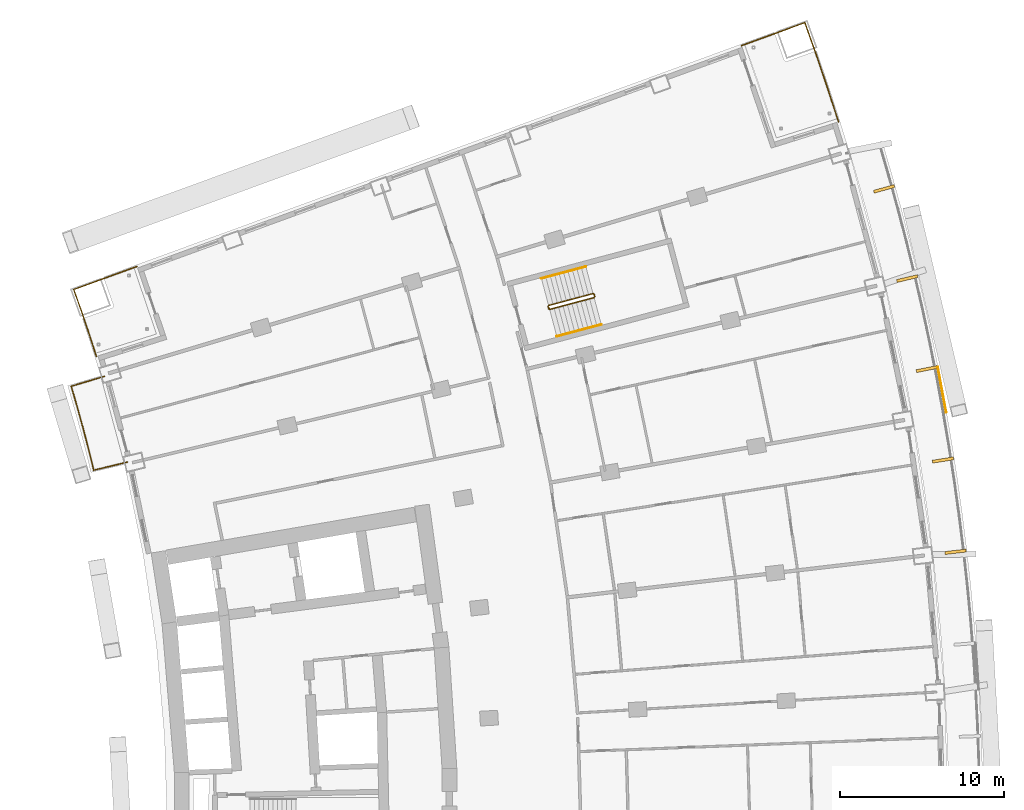
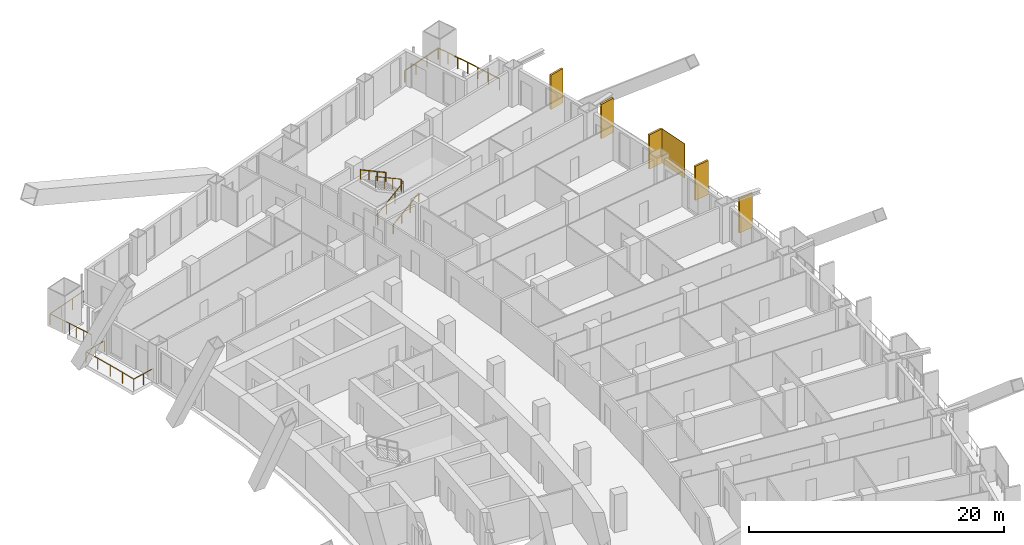
# One storey, part 25 of 25: 6 railings, 6 shading devices.
"""IFC4 building model written with IfcOpenShell, lengths in metres."""

import ifcopenshell
import ifcopenshell.guid

model = None  # the IFC model being written
_history = None  # IfcOwnerHistory: only IFC2X3 demands one
_inside = {}  # id of a spatial element -> (the spatial element, [elements in it])
_under = {}  # id of a project, library or spatial element -> (it, [spatial elements below it])
_declared = {}  # id of a project -> (the project, [libraries it declares])
_typed = {}  # id of a type object -> (the type object, [elements of that type])
_made_of = {}  # id of a material, layer set ... -> (it, [elements and type objects made of it])


def new_model(schema):
    """Start an empty IFC model of exactly this schema.

    Asked for "IFC4X3", IfcOpenShell would pick the latest addendum, in which some entities
    have other attributes; the version numbers below select the first issue.
    IFC2X3 requires an IfcOwnerHistory on every rooted entity: one is made here for all.
    """
    global model, _history
    if schema == "IFC4X3":
        model = ifcopenshell.file(schema_version=(4, 3, 0, 0))
    else:
        model = ifcopenshell.file(schema=schema)
    _inside.clear()
    _under.clear()
    _declared.clear()
    _typed.clear()
    _made_of.clear()
    _history = None
    if model.schema == "IFC2X3":
        org = make("IfcOrganization", Name="unknown")
        user = make(
            "IfcPersonAndOrganization",
            ThePerson=make("IfcPerson", FamilyName="unknown"),
            TheOrganization=org,
        )
        app = make(
            "IfcApplication",
            ApplicationDeveloper=org,
            Version="unknown",
            ApplicationFullName="unknown",
            ApplicationIdentifier="unknown",
        )
        _history = make(
            "IfcOwnerHistory",
            OwningUser=user,
            OwningApplication=app,
            ChangeAction="ADDED",
            CreationDate=0,
        )
    return model


def make(cls, **values):
    """One entity of the class cls with the attributes given. An attribute that is None is left unset."""
    return model.create_entity(
        cls, **{name: value for name, value in values.items() if value is not None}
    )


def rooted(cls, **values):
    """An entity with a GlobalId (a new one), such as an element, a storey or a relation."""
    return make(cls, GlobalId=ifcopenshell.guid.new(), OwnerHistory=_history, **values)


def si_unit(unit_type, name, prefix=None):
    """IfcSIUnit, for example si_unit("LENGTHUNIT", "METRE", prefix="MILLI")."""
    return make("IfcSIUnit", UnitType=unit_type, Prefix=prefix, Name=name)


def assignment(units):
    """IfcUnitAssignment: the units of a project."""
    return None if units is None else make("IfcUnitAssignment", Units=units)


def point(xyz):
    """IfcCartesianPoint."""
    return None if xyz is None else make("IfcCartesianPoint", Coordinates=xyz)


def direction(xyz):
    """IfcDirection."""
    return None if xyz is None else make("IfcDirection", DirectionRatios=xyz)


def frame(location, z_axis=None, x_axis=None):
    """IfcAxis2Placement3D, a coordinate frame: its origin and axes. An axis left out is left unset."""
    return make(
        "IfcAxis2Placement3D",
        Location=point(location),
        Axis=direction(z_axis),
        RefDirection=direction(x_axis),
    )


def frame_2d(location, x_axis=None):
    """IfcAxis2Placement2D, a coordinate frame in the plane: its origin and x axis."""
    return make(
        "IfcAxis2Placement2D", Location=point(location), RefDirection=direction(x_axis)
    )


def origin():
    """The frame at (0, 0, 0) with its axes left unset."""
    return frame((0.0, 0.0, 0.0))


def origin_2d():
    """The frame at (0, 0) in the plane with its x axis left unset."""
    return frame_2d((0.0, 0.0))


def place(relative_to, where):
    """IfcLocalPlacement: puts the frame where relative to a parent placement (None: the world)."""
    return make(
        "IfcLocalPlacement", PlacementRelTo=relative_to, RelativePlacement=where
    )


def context(
    kind, dimensions, precision=None, world=None, true_north=None, identifier=None
):
    """IfcGeometricRepresentationContext, for example the 3D "Model" context."""
    return make(
        "IfcGeometricRepresentationContext",
        ContextIdentifier=identifier,
        ContextType=kind,
        CoordinateSpaceDimension=dimensions,
        Precision=precision,
        WorldCoordinateSystem=world,
        TrueNorth=true_north,
    )


def subcontext(parent, identifier, kind, view, scale=None):
    """IfcGeometricRepresentationSubContext, for example "Body" below "Model"."""
    return make(
        "IfcGeometricRepresentationSubContext",
        ContextIdentifier=identifier,
        ContextType=kind,
        ParentContext=parent,
        TargetScale=scale,
        TargetView=view,
    )


def project(units=None, contexts=None):
    """IfcProject with its units and contexts."""
    return rooted(
        "IfcProject",
        Name="project",
        RepresentationContexts=contexts,
        UnitsInContext=assignment(units),
    )


def spatial(cls, under=None, at=None, **own):
    """A site, building, storey or space (cls), placed at a placement, below another one or the project."""
    s = rooted(cls, ObjectPlacement=at, **own)
    if under is not None:
        _under.setdefault(under.id(), (under, []))[1].append(s)
    return s


def profile(cls, at=None, kind="AREA", **sizes):
    """A parametric profile (cls). Its sizes go by their IFC names, for example OverallWidth=200.0."""
    return make(cls, ProfileType=kind, Position=at, **sizes)


def rectangle(**sizes):
    """IfcRectangleProfileDef."""
    return profile("IfcRectangleProfileDef", **sizes)


def extrude(swept, where, along, depth):
    """IfcExtrudedAreaSolid: the profile swept, set in the frame where, extruded along a direction by depth."""
    return make(
        "IfcExtrudedAreaSolid",
        SweptArea=swept,
        Position=where,
        ExtrudedDirection=direction(along),
        Depth=depth,
    )


def shape(context_of_items, identifier, shape_type, items):
    """IfcShapeRepresentation: the items that make up one representation, for example the "Body"."""
    return make(
        "IfcShapeRepresentation",
        ContextOfItems=context_of_items,
        RepresentationIdentifier=identifier,
        RepresentationType=shape_type,
        Items=items,
    )


def material(Name=None, Category=None):
    """IfcMaterial."""
    return make("IfcMaterial", Name=Name, Category=Category)


def layer(
    of_material, thickness, ventilated=None, Name=None, Category=None, Priority=None
):
    """IfcMaterialLayer: one layer of a wall or slab, of a material (None: an air gap)."""
    return make(
        "IfcMaterialLayer",
        Material=of_material,
        LayerThickness=thickness,
        IsVentilated=ventilated,
        Name=Name,
        Category=Category,
        Priority=Priority,
    )


def layer_set(layers, Name=None):
    """IfcMaterialLayerSet."""
    return make("IfcMaterialLayerSet", MaterialLayers=layers, LayerSetName=Name)


def made_of(thing, what):
    """Note that an element or type object is made of a material, layer set ...; save() writes the relation."""
    if what is not None:
        _made_of.setdefault(what.id(), (what, []))[1].append(thing)
    return thing


def type_object(cls, material=None, **own):
    """A type object (cls), such as IfcWallType, which elements share."""
    return made_of(rooted(cls, **own), material)


def element(
    cls,
    number,
    at=None,
    inside=None,
    cuts=None,
    type_object=None,
    material=None,
    context=None,
    identifier="Body",
    shape_type=None,
    held_by="IfcProductDefinitionShape",
    body=None,
    shapes=None,
    **own,
):
    """One element of the class cls, such as IfcWall. Its Tag is "e" and its number.

    at: its placement. inside: the storey or other place that contains it. cuts: it is an
    opening in that element (IfcRelVoidsElement). A single representation is given by context,
    identifier, shape_type and body (its items); several are given by shapes. held_by: the class
    of the entity that holds the representations. save() writes the other relations.
    """
    e = rooted(cls, Tag="e%d" % number, ObjectPlacement=at, **own)
    if body is not None:
        shapes = [shape(context, identifier, shape_type, body)]
    if shapes is not None:
        e.Representation = make(held_by, Representations=shapes)
    if inside is not None:
        _inside.setdefault(inside.id(), (inside, []))[1].append(e)
    if cuts is not None:
        rooted(
            "IfcRelVoidsElement", RelatingBuildingElement=cuts, RelatedOpeningElement=e
        )
    if type_object is not None:
        _typed.setdefault(type_object.id(), (type_object, []))[1].append(e)
    return made_of(e, material)


def aggregate(whole, parts):
    """IfcRelAggregates: a whole, such as a stair, and the parts it consists of."""
    return rooted("IfcRelAggregates", RelatingObject=whole, RelatedObjects=parts)


def save(model, path):
    """Write the relations noted so far, then the file.

    IfcRelAggregates (storeys below a building ...), IfcRelContainedInSpatialStructure (elements
    in a storey), IfcRelDefinesByType, IfcRelAssociatesMaterial and IfcRelDeclares: one each for
    every whole, place, type object, material and project.
    """
    for whole, parts in _under.values():
        aggregate(whole, parts)
    for where, things in _inside.values():
        rooted(
            "IfcRelContainedInSpatialStructure",
            RelatedElements=things,
            RelatingStructure=where,
        )
    for kind, things in _typed.values():
        rooted("IfcRelDefinesByType", RelatedObjects=things, RelatingType=kind)
    for what, things in _made_of.values():
        rooted("IfcRelAssociatesMaterial", RelatedObjects=things, RelatingMaterial=what)
    for by, libraries in _declared.values():
        rooted("IfcRelDeclares", RelatingContext=by, RelatedDefinitions=libraries)
    model.write(path)


model = new_model("IFC4")

# Units and contexts
model_context = context("Model", 3, precision=1e-05, world=origin(), true_north=direction((0.0, 1.0)))
body_context = subcontext(model_context, "Body", "Model", "MODEL_VIEW")
ifc_project = project(units=[si_unit("LENGTHUNIT", "METRE"), si_unit("AREAUNIT", "SQUARE_METRE"), si_unit("VOLUMEUNIT", "CUBIC_METRE"), si_unit("PLANEANGLEUNIT", "RADIAN"), si_unit("MASSUNIT", "GRAM", prefix="KILO")], contexts=[model_context])

# Site, building, storey
site_placement = place(None, origin())
site = spatial("IfcSite", under=ifc_project, at=site_placement, CompositionType="ELEMENT")
building_placement = place(site_placement, origin())
building = spatial("IfcBuilding", under=site, at=building_placement, Name="Alderwake Tower", CompositionType="ELEMENT")
storey_placement = place(building_placement, frame((0.0, 0.0, 42.800048828125)))
storey = spatial("IfcBuildingStorey", under=building, at=storey_placement, Name="L09", CompositionType="ELEMENT", Elevation=42.800048828125)

# Railings
ifc_material_1 = material(Name="Stainless steel 316 rail and posts", Category="steel")
railing_type_1 = type_object("IfcRailingType", Name="Balcony guard 1100", PredefinedType="GUARDRAIL", material=ifc_material_1)
railing_1_placement = place(storey_placement, frame((13.5693359375, 83.343017578125, 0.0)))
element("IfcRailing", 1, at=railing_1_placement, inside=storey, type_object=railing_type_1, Name="Guard BR11", PredefinedType="GUARDRAIL", context=body_context, shape_type="SweptSolid", body=[
    extrude(rectangle(XDim=0.048095703125, YDim=0.048095703125, at=origin_2d()), frame((0.0, 0.0, 1.076171875), z_axis=(-0.972646310656, -0.232291098337, 0.0), x_axis=(0.232291098337, -0.972646310656, 0.0)), (0.0, 0.0, 1.0), 2.099853515625),
    extrude(rectangle(XDim=0.048095703125, YDim=0.048095703125, at=origin_2d()), frame((-2.04248046875, -0.48779296875, 1.076171875), z_axis=(-0.238877101641, 0.971049808358, 0.0), x_axis=(-0.971049808358, -0.238877101641, 0.0)), (0.0, 0.0, 1.0), 1.2724609375),
    extrude(rectangle(XDim=0.048095703125, YDim=0.048095703125, at=origin_2d()), frame((-2.346435546875, 0.747802734375, 1.076171875), z_axis=(-0.252487086228, 0.967600264204, 0.0), x_axis=(-0.967600264204, -0.252487086228, 0.0)), (0.0, 0.0, 1.0), 1.3720703125),
    extrude(rectangle(XDim=0.048095703125, YDim=0.048095703125, at=origin_2d()), frame((-2.69287109375, 2.075439453125, 1.076171875), z_axis=(-0.266487604617, 0.963838345671, 0.0), x_axis=(-0.963838345671, -0.266487604617, 0.0)), (0.0, 0.0, 1.0), 1.372314453125),
    extrude(rectangle(XDim=0.048095703125, YDim=0.048095703125, at=origin_2d()), frame((-3.05859375, 3.398193359375, 1.076171875), z_axis=(-0.279963157487, 0.960010744966, 0.0), x_axis=(-0.960010744966, -0.279963157487, 0.0)), (0.0, 0.0, 1.0), 1.272216796875),
    extrude(rectangle(XDim=0.048095703125, YDim=0.048095703125, at=origin_2d()), frame((-3.414794921875, 4.61962890625, 1.076171875), z_axis=(0.958091458885, 0.286462486918, 0.0), x_axis=(-0.286462486918, 0.958091458885, 0.0)), (0.0, 0.0, 1.0), 2.099853515625),
    extrude(rectangle(XDim=0.0419921875, YDim=0.0419921875, at=origin_2d()), frame((0.0, 0.0, 0.0), z_axis=(0.0, 0.0, 1.0), x_axis=(-0.972646310656, -0.232291098337, 0.0)), (0.0, 0.0, 1.0), 1.052001953125),
    extrude(rectangle(XDim=0.0419921875, YDim=0.0419921875, at=origin_2d()), frame((-1.021240234375, -0.243896484375, 0.0), z_axis=(0.0, 0.0, 1.0), x_axis=(-0.972646310656, -0.232291098337, 0.0)), (0.0, 0.0, 1.0), 1.052001953125),
    extrude(rectangle(XDim=0.0419921875, YDim=0.0419921875, at=origin_2d()), frame((-2.04248046875, -0.48779296875, 0.0), z_axis=(0.0, 0.0, 1.0), x_axis=(-0.238877101641, 0.971049808358, 0.0)), (0.0, 0.0, 1.0), 1.052001953125),
    extrude(rectangle(XDim=0.0419921875, YDim=0.0419921875, at=origin_2d()), frame((-2.346435546875, 0.747802734375, 0.0), z_axis=(0.0, 0.0, 1.0), x_axis=(-0.252487086228, 0.967600264204, 0.0)), (0.0, 0.0, 1.0), 1.052001953125),
    extrude(rectangle(XDim=0.0419921875, YDim=0.0419921875, at=origin_2d()), frame((-2.69287109375, 2.075439453125, 0.0), z_axis=(0.0, 0.0, 1.0), x_axis=(-0.266487604617, 0.963838345671, 0.0)), (0.0, 0.0, 1.0), 1.052001953125),
    extrude(rectangle(XDim=0.0419921875, YDim=0.0419921875, at=origin_2d()), frame((-3.05859375, 3.398193359375, 0.0), z_axis=(0.0, 0.0, 1.0), x_axis=(-0.279963157487, 0.960010744966, 0.0)), (0.0, 0.0, 1.0), 1.052001953125),
    extrude(rectangle(XDim=0.0419921875, YDim=0.0419921875, at=origin_2d()), frame((-3.414794921875, 4.61962890625, 0.0), z_axis=(0.0, 0.0, 1.0), x_axis=(0.958091458885, 0.286462486918, 0.0)), (0.0, 0.0, 1.0), 1.052001953125),
    extrude(rectangle(XDim=0.0419921875, YDim=0.0419921875, at=origin_2d()), frame((-2.40869140625, 4.92041015625, 0.0), z_axis=(0.0, 0.0, 1.0), x_axis=(0.958091458885, 0.286462486918, 0.0)), (0.0, 0.0, 1.0), 1.052001953125),
    extrude(rectangle(XDim=0.0419921875, YDim=0.0419921875, at=origin_2d()), frame((-1.40283203125, 5.22119140625, 0.0), z_axis=(0.0, 0.0, 1.0), x_axis=(0.958091458885, 0.286462486918, 0.0)), (0.0, 0.0, 1.0), 1.052001953125),
])
railing_2_placement = place(storey_placement, frame((56.88330078125, 104.072509765625, 0.0)))
element("IfcRailing", 2, at=railing_2_placement, inside=storey, type_object=railing_type_1, Name="Guard terrace FN", PredefinedType="GUARDRAIL", context=body_context, shape_type="SweptSolid", body=[
    extrude(rectangle(XDim=0.048095703125, YDim=0.048095703125, at=origin_2d()), frame((0.0, 0.0, 1.076171875), z_axis=(-0.307845801485, 0.951436262977, 0.0), x_axis=(-0.951436262977, -0.307845801485, 0.0)), (0.0, 0.0, 1.0), 2.292724609375),
    extrude(rectangle(XDim=0.048095703125, YDim=0.048095703125, at=origin_2d()), frame((-0.705810546875, 2.181396484375, 1.076171875), z_axis=(-0.322241552388, 0.946657478666, 0.0), x_axis=(-0.946657478666, -0.322241552388, 0.0)), (0.0, 0.0, 1.0), 2.092529296875),
    extrude(rectangle(XDim=0.048095703125, YDim=0.048095703125, at=origin_2d()), frame((-1.380126953125, 4.162353515625, 1.076171875), z_axis=(-0.335715388467, 0.941963469539, 0.0), x_axis=(-0.941963469539, -0.335715388467, 0.0)), (0.0, 0.0, 1.0), 1.99267578125),
    extrude(rectangle(XDim=0.048095703125, YDim=0.048095703125, at=origin_2d()), frame((-2.049072265625, 6.039306640625, 1.076171875), z_axis=(-0.939624669849, -0.342206779317, 0.0), x_axis=(0.342206779317, -0.939624669849, 0.0)), (0.0, 0.0, 1.0), 4.10009765625),
    extrude(rectangle(XDim=0.0419921875, YDim=0.0419921875, at=origin_2d()), frame((0.0, 0.0, 0.0), z_axis=(0.0, 0.0, 1.0), x_axis=(-0.307845801485, 0.951436262977, 0.0)), (0.0, 0.0, 1.0), 1.052001953125),
    extrude(rectangle(XDim=0.0419921875, YDim=0.0419921875, at=origin_2d()), frame((-0.35302734375, 1.0908203125, 0.0), z_axis=(0.0, 0.0, 1.0), x_axis=(-0.307845801485, 0.951436262977, 0.0)), (0.0, 0.0, 1.0), 1.052001953125),
    extrude(rectangle(XDim=0.0419921875, YDim=0.0419921875, at=origin_2d()), frame((-0.705810546875, 2.181396484375, 0.0), z_axis=(0.0, 0.0, 1.0), x_axis=(-0.322241552388, 0.946657478666, 0.0)), (0.0, 0.0, 1.0), 1.052001953125),
    extrude(rectangle(XDim=0.0419921875, YDim=0.0419921875, at=origin_2d()), frame((-1.04296875, 3.171875, 0.0), z_axis=(0.0, 0.0, 1.0), x_axis=(-0.322241552388, 0.946657478666, 0.0)), (0.0, 0.0, 1.0), 1.052001953125),
    extrude(rectangle(XDim=0.0419921875, YDim=0.0419921875, at=origin_2d()), frame((-1.380126953125, 4.162353515625, 0.0), z_axis=(0.0, 0.0, 1.0), x_axis=(-0.335715388467, 0.941963469539, 0.0)), (0.0, 0.0, 1.0), 1.052001953125),
    extrude(rectangle(XDim=0.0419921875, YDim=0.0419921875, at=origin_2d()), frame((-1.714599609375, 5.100830078125, 0.0), z_axis=(0.0, 0.0, 1.0), x_axis=(-0.335715388467, 0.941963469539, 0.0)), (0.0, 0.0, 1.0), 1.052001953125),
    extrude(rectangle(XDim=0.0419921875, YDim=0.0419921875, at=origin_2d()), frame((-2.049072265625, 6.039306640625, 0.0), z_axis=(0.0, 0.0, 1.0), x_axis=(-0.939624669849, -0.342206779317, 0.0)), (0.0, 0.0, 1.0), 1.052001953125),
    extrude(rectangle(XDim=0.0419921875, YDim=0.0419921875, at=origin_2d()), frame((-3.333251953125, 5.571533203125, 0.0), z_axis=(0.0, 0.0, 1.0), x_axis=(-0.939624669849, -0.342206779317, 0.0)), (0.0, 0.0, 1.0), 1.052001953125),
    extrude(rectangle(XDim=0.0419921875, YDim=0.0419921875, at=origin_2d()), frame((-4.617431640625, 5.10400390625, 0.0), z_axis=(0.0, 0.0, 1.0), x_axis=(-0.939624669849, -0.342206779317, 0.0)), (0.0, 0.0, 1.0), 1.052001953125),
    extrude(rectangle(XDim=0.0419921875, YDim=0.0419921875, at=origin_2d()), frame((-5.901611328125, 4.63623046875, 0.0), z_axis=(0.0, 0.0, 1.0), x_axis=(-0.939624669849, -0.342206779317, 0.0)), (0.0, 0.0, 1.0), 1.052001953125),
])
railing_3_placement = place(storey_placement, frame((11.688720703125, 89.781982421875, 0.0)))
element("IfcRailing", 3, at=railing_3_placement, inside=storey, type_object=railing_type_1, Name="Guard terrace RN", PredefinedType="GUARDRAIL", context=body_context, shape_type="SweptSolid", body=[
    extrude(rectangle(XDim=0.048095703125, YDim=0.048095703125, at=origin_2d()), frame((0.0, 0.0, 1.076171875), z_axis=(-0.307479326145, 0.951554761426, 0.0), x_axis=(-0.951554761426, -0.307479326145, 0.0)), (0.0, 0.0, 1.0), 1.6015625),
    extrude(rectangle(XDim=0.048095703125, YDim=0.048095703125, at=origin_2d()), frame((-0.492431640625, 1.52392578125, 1.076171875), z_axis=(-0.322283727344, 0.946643121292, 0.0), x_axis=(-0.946643121292, -0.322283727344, 0.0)), (0.0, 0.0, 1.0), 1.4013671875),
    extrude(rectangle(XDim=0.048095703125, YDim=0.048095703125, at=origin_2d()), frame((-0.944091796875, 2.8505859375, 1.076171875), z_axis=(-0.335468607403, 0.942051385778, 0.0), x_axis=(-0.942051385778, -0.335468607403, 0.0)), (0.0, 0.0, 1.0), 1.30126953125),
    extrude(rectangle(XDim=0.048095703125, YDim=0.048095703125, at=origin_2d()), frame((-1.380615234375, 4.076416015625, 1.076171875), z_axis=(0.939708203232, 0.341977327873, 0.0), x_axis=(-0.341977327873, 0.939708203232, 0.0)), (0.0, 0.0, 1.0), 4.10009765625),
    extrude(rectangle(XDim=0.0419921875, YDim=0.0419921875, at=origin_2d()), frame((0.0, 0.0, 0.0), z_axis=(0.0, 0.0, 1.0), x_axis=(-0.307479326145, 0.951554761426, 0.0)), (0.0, 0.0, 1.0), 1.052001953125),
    extrude(rectangle(XDim=0.0419921875, YDim=0.0419921875, at=origin_2d()), frame((-0.24609375, 0.761962890625, 0.0), z_axis=(0.0, 0.0, 1.0), x_axis=(-0.307479326145, 0.951554761426, 0.0)), (0.0, 0.0, 1.0), 1.052001953125),
    extrude(rectangle(XDim=0.0419921875, YDim=0.0419921875, at=origin_2d()), frame((-0.492431640625, 1.52392578125, 0.0), z_axis=(0.0, 0.0, 1.0), x_axis=(-0.322283727344, 0.946643121292, 0.0)), (0.0, 0.0, 1.0), 1.052001953125),
    extrude(rectangle(XDim=0.0419921875, YDim=0.0419921875, at=origin_2d()), frame((-0.71826171875, 2.187255859375, 0.0), z_axis=(0.0, 0.0, 1.0), x_axis=(-0.322283727344, 0.946643121292, 0.0)), (0.0, 0.0, 1.0), 1.052001953125),
    extrude(rectangle(XDim=0.0419921875, YDim=0.0419921875, at=origin_2d()), frame((-0.944091796875, 2.8505859375, 0.0), z_axis=(0.0, 0.0, 1.0), x_axis=(-0.335468607403, 0.942051385778, 0.0)), (0.0, 0.0, 1.0), 1.052001953125),
    extrude(rectangle(XDim=0.0419921875, YDim=0.0419921875, at=origin_2d()), frame((-1.380615234375, 4.076416015625, 0.0), z_axis=(0.0, 0.0, 1.0), x_axis=(0.939708203232, 0.341977327873, 0.0)), (0.0, 0.0, 1.0), 1.052001953125),
    extrude(rectangle(XDim=0.0419921875, YDim=0.0419921875, at=origin_2d()), frame((-0.096435546875, 4.543701171875, 0.0), z_axis=(0.0, 0.0, 1.0), x_axis=(0.939708203232, 0.341977327873, 0.0)), (0.0, 0.0, 1.0), 1.052001953125),
    extrude(rectangle(XDim=0.0419921875, YDim=0.0419921875, at=origin_2d()), frame((1.18798828125, 5.01123046875, 0.0), z_axis=(0.0, 0.0, 1.0), x_axis=(0.939708203232, 0.341977327873, 0.0)), (0.0, 0.0, 1.0), 1.052001953125),
    extrude(rectangle(XDim=0.0419921875, YDim=0.0419921875, at=origin_2d()), frame((2.47216796875, 5.478515625, 0.0), z_axis=(0.0, 0.0, 1.0), x_axis=(0.939708203232, 0.341977327873, 0.0)), (0.0, 0.0, 1.0), 1.052001953125),
])

# Shading devices
ifc_material_2 = material(Name="Bronze anodised aluminium", Category="aluminium")
ifc_layer_1 = layer(ifc_material_2, 0.179931640625)
ifc_layer_set_1 = layer_set([ifc_layer_1], Name="Facade fin 1300")
shading_device_type_1 = type_object("IfcShadingDeviceType", Name="Facade fin 1300", PredefinedType="USERDEFINED", material=ifc_layer_set_1)
for number, where, z_axis, x_axis, name in (
    (4, (64.013916015625, 77.883056640625, 0.0), (0.0, 0.0, 1.0), (0.993198315083, 0.116434990084, 0.0), "Fin"),
    (5, (63.248291015625, 83.47119140625, 0.0), (0.0, 0.0, 1.0), (0.987918787879, 0.154972476771, 0.0), "Fin"),
    (6, (62.268798828125, 89.0107421875, 0.0), (0.0, 0.0, 1.0), (0.981163751315, 0.193177879441, 0.0), "Fin"),
    (7, (61.07177734375, 94.5224609375, 0.0), (0.0, 0.0, 1.0), (0.972908790564, 0.231189284448, 0.0), "Fin"),
    (8, (59.661376953125, 99.9833984375, 0.0), (0.0, 0.0, 1.0), (0.96318180783, 0.268850897459, 0.0), "Fin"),
):
    element("IfcShadingDevice", number, at=place(storey_placement, frame(where, z_axis=z_axis, x_axis=x_axis)), inside=storey, type_object=shading_device_type_1, Name=name, ObjectType="FIN", PredefinedType="USERDEFINED", context=body_context, shape_type="SweptSolid", body=[
        extrude(rectangle(XDim=1.300048828125, YDim=0.179931640625, at=origin_2d()), origin(), (0.0, 0.0, 1.0), 3.280029296875),
    ])
ifc_material_3 = material(Name="Perforated bronze anodised aluminium", Category="aluminium")
ifc_layer_2 = layer(ifc_material_3, 0.050048828125)
ifc_layer_set_2 = layer_set([ifc_layer_2], Name="Perforated screen panel")
shading_device_type_2 = type_object("IfcShadingDeviceType", Name="Perforated screen panel", PredefinedType="USERDEFINED", material=ifc_layer_set_2)
shading_device_placement = place(storey_placement, frame((63.1904296875, 87.752197265625, 0.0), z_axis=(0.0, 0.0, 1.0), x_axis=(0.982991488043, 0.183651121519, 0.0)))
element("IfcShadingDevice", 9, at=shading_device_placement, inside=storey, type_object=shading_device_type_2, Name="Screen panel", ObjectType="SCREEN", PredefinedType="USERDEFINED", context=body_context, shape_type="SweptSolid", body=[
    extrude(rectangle(XDim=0.050048828125, YDim=2.826171875, at=origin_2d()), origin(), (0.0, 0.0, 1.0), 3.280029296875),
])

# Railings
ifc_material_4 = material(Name="Stainless steel guard", Category="steel")
railing_type_2 = type_object("IfcRailingType", Name="Stair guard 1100", PredefinedType="GUARDRAIL", material=ifc_material_4)
railing_4_placement = place(storey_placement, frame((39.23291015625, 92.6806640625, 0.0)))
element("IfcRailing", 10, at=railing_4_placement, inside=storey, type_object=railing_type_2, Name="L09 ST-A stair guard 1", PredefinedType="GUARDRAIL", context=body_context, shape_type="SweptSolid", body=[
    extrude(rectangle(XDim=0.048095703125, YDim=0.048095703125, at=origin_2d()), frame((0.0, 0.0, 1.076171875), z_axis=(-0.257055032184, 0.966396766566, 0.0), x_axis=(-0.966396766566, -0.257055032184, 0.0)), (0.0, 0.0, 1.0), 0.150146484375),
    extrude(rectangle(XDim=0.048095703125, YDim=0.048095703125, at=origin_2d()), frame((-0.03857421875, 0.14501953125, 1.076171875), z_axis=(0.379370725808, -0.685464465458, 0.621463047167), x_axis=(0.874937996095, 0.484234966715, 0.0)), (0.0, 0.0, 1.0), 0.26318359375),
    extrude(rectangle(XDim=0.048095703125, YDim=0.048095703125, at=origin_2d()), frame((0.061279296875, -0.035400390625, 1.23974609375), z_axis=(0.834258940753, 0.22222815314, 0.504605457487), x_axis=(-0.257402139082, 0.966304371715, 0.0)), (0.0, 0.0, 1.0), 3.2431640625),
    extrude(rectangle(XDim=0.048095703125, YDim=0.048095703125, at=origin_2d()), frame((2.766845703125, 0.685302734375, 2.8759765625), z_axis=(0.500220121494, 0.865898279276, 0.0), x_axis=(-0.865898279276, 0.500220121494, 0.0)), (0.0, 0.0, 1.0), 0.07080078125),
    extrude(rectangle(XDim=0.048095703125, YDim=0.048095703125, at=origin_2d()), frame((2.80224609375, 0.74658203125, 2.8759765625), z_axis=(-0.257459803502, 0.966289009345, 0.0), x_axis=(-0.966289009345, -0.257459803502, 0.0)), (0.0, 0.0, 1.0), 0.14990234375),
    extrude(rectangle(XDim=0.048095703125, YDim=0.048095703125, at=origin_2d()), frame((2.763671875, 0.891357421875, 2.8759765625), z_axis=(-0.34252489212, 0.200034536998, 0.917966710881), x_axis=(-0.504300490226, -0.863528236688, 0.0)), (0.0, 0.0, 1.0), 0.17822265625),
    extrude(rectangle(XDim=0.048095703125, YDim=0.048095703125, at=origin_2d()), frame((2.70263671875, 0.927001953125, 3.03955078125), z_axis=(-0.834313512087, -0.222222637163, 0.504517653885), x_axis=(0.257380452725, -0.966310148221, 0.0)), (0.0, 0.0, 1.0), 3.2431640625),
    extrude(rectangle(XDim=0.0419921875, YDim=0.0419921875, at=origin_2d()), frame((0.0, 0.0, 0.0), z_axis=(0.0, 0.0, 1.0), x_axis=(-0.257055032184, 0.966396766566, 0.0)), (0.0, 0.0, 1.0), 1.052001953125),
    extrude(rectangle(XDim=0.0419921875, YDim=0.0419921875, at=origin_2d()), frame((-0.03857421875, 0.14501953125, 0.0), z_axis=(0.0, 0.0, 1.0), x_axis=(0.484234966715, -0.874937996095, 0.0)), (0.0, 0.0, 1.0), 1.052001953125),
    extrude(rectangle(XDim=0.0419921875, YDim=0.0419921875, at=origin_2d()), frame((0.061279296875, -0.035400390625, 0.16357421875), z_axis=(0.0, 0.0, 1.0), x_axis=(0.966304371715, 0.257402139082, 0.0)), (0.0, 0.0, 1.0), 1.052001953125),
    extrude(rectangle(XDim=0.0419921875, YDim=0.0419921875, at=origin_2d()), frame((0.963134765625, 0.204833984375, 0.708984375), z_axis=(0.0, 0.0, 1.0), x_axis=(0.966304371715, 0.257402139082, 0.0)), (0.0, 0.0, 1.0), 1.052001953125),
    extrude(rectangle(XDim=0.0419921875, YDim=0.0419921875, at=origin_2d()), frame((1.864990234375, 0.445068359375, 1.254638671875), z_axis=(0.0, 0.0, 1.0), x_axis=(0.966304371715, 0.257402139082, 0.0)), (0.0, 0.0, 1.0), 1.052001953125),
    extrude(rectangle(XDim=0.0419921875, YDim=0.0419921875, at=origin_2d()), frame((2.766845703125, 0.685302734375, 1.800048828125), z_axis=(0.0, 0.0, 1.0), x_axis=(0.500220121494, 0.865898279276, 0.0)), (0.0, 0.0, 1.0), 1.052001953125),
    extrude(rectangle(XDim=0.0419921875, YDim=0.0419921875, at=origin_2d()), frame((2.80224609375, 0.74658203125, 1.800048828125), z_axis=(0.0, 0.0, 1.0), x_axis=(-0.257459803502, 0.966289009345, 0.0)), (0.0, 0.0, 1.0), 1.052001953125),
    extrude(rectangle(XDim=0.0419921875, YDim=0.0419921875, at=origin_2d()), frame((2.763671875, 0.891357421875, 1.800048828125), z_axis=(0.0, 0.0, 1.0), x_axis=(-0.863528236688, 0.504300490226, 0.0)), (0.0, 0.0, 1.0), 1.052001953125),
    extrude(rectangle(XDim=0.0419921875, YDim=0.0419921875, at=origin_2d()), frame((2.70263671875, 0.927001953125, 1.963623046875), z_axis=(0.0, 0.0, 1.0), x_axis=(-0.966310148221, -0.257380452725, 0.0)), (0.0, 0.0, 1.0), 1.052001953125),
    extrude(rectangle(XDim=0.0419921875, YDim=0.0419921875, at=origin_2d()), frame((1.80078125, 0.686767578125, 2.509033203125), z_axis=(0.0, 0.0, 1.0), x_axis=(-0.966310148221, -0.257380452725, 0.0)), (0.0, 0.0, 1.0), 1.052001953125),
    extrude(rectangle(XDim=0.0419921875, YDim=0.0419921875, at=origin_2d()), frame((0.898681640625, 0.446533203125, 3.054443359375), z_axis=(0.0, 0.0, 1.0), x_axis=(-0.966310148221, -0.257380452725, 0.0)), (0.0, 0.0, 1.0), 1.052001953125),
    extrude(rectangle(XDim=0.0419921875, YDim=0.0419921875, at=origin_2d()), frame((-0.003173828125, 0.206298828125, 3.599853515625), z_axis=(0.0, 0.0, 1.0), x_axis=(-0.966310148221, -0.257380452725, 0.0)), (0.0, 0.0, 1.0), 1.052001953125),
])
ifc_material_5 = material(Name="Stainless steel handrail", Category="steel")
railing_type_3 = type_object("IfcRailingType", Name="Stair handrail 900", PredefinedType="HANDRAIL", material=ifc_material_5)
railing_5_placement = place(storey_placement, frame((39.731689453125, 91.002685546875, 0.16357421875)))
element("IfcRailing", 11, at=railing_5_placement, inside=storey, type_object=railing_type_3, Name="L09 ST-A stair handrail 1", PredefinedType="HANDRAIL", context=body_context, shape_type="SweptSolid", body=[
    extrude(rectangle(XDim=0.048095703125, YDim=0.048095703125, at=origin_2d()), frame((0.0, 0.0, 0.8759765625), z_axis=(0.834258940753, 0.22222815314, 0.504605457487), x_axis=(-0.257402139082, 0.966304371715, 0.0)), (0.0, 0.0, 1.0), 3.2431640625),
    extrude(rectangle(XDim=0.0419921875, YDim=0.0419921875, at=origin_2d()), frame((0.0, 0.0, 0.0), z_axis=(0.0, 0.0, 1.0), x_axis=(0.966304371715, 0.257402139082, 0.0)), (0.0, 0.0, 1.0), 0.851806640625),
    extrude(rectangle(XDim=0.0419921875, YDim=0.0419921875, at=origin_2d()), frame((0.90185546875, 0.240234375, 0.54541015625), z_axis=(0.0, 0.0, 1.0), x_axis=(0.966304371715, 0.257402139082, 0.0)), (0.0, 0.0, 1.0), 0.851806640625),
    extrude(rectangle(XDim=0.0419921875, YDim=0.0419921875, at=origin_2d()), frame((1.8037109375, 0.48046875, 1.091064453125), z_axis=(0.0, 0.0, 1.0), x_axis=(0.966304371715, 0.257402139082, 0.0)), (0.0, 0.0, 1.0), 0.851806640625),
    extrude(rectangle(XDim=0.0419921875, YDim=0.0419921875, at=origin_2d()), frame((2.70556640625, 0.720703125, 1.636474609375), z_axis=(0.0, 0.0, 1.0), x_axis=(0.966304371715, 0.257402139082, 0.0)), (0.0, 0.0, 1.0), 0.851806640625),
])
railing_6_placement = place(storey_placement, frame((41.497802734375, 95.250244140625, 1.963623046875)))
element("IfcRailing", 12, at=railing_6_placement, inside=storey, type_object=railing_type_3, Name="L09 ST-A stair handrail 2", PredefinedType="HANDRAIL", context=body_context, shape_type="SweptSolid", body=[
    extrude(rectangle(XDim=0.048095703125, YDim=0.048095703125, at=origin_2d()), frame((0.0, 0.0, 0.8759765625), z_axis=(-0.834290631165, -0.222236594766, 0.504549342183), x_axis=(0.257402139082, -0.966304371715, 0.0)), (0.0, 0.0, 1.0), 3.242919921875),
    extrude(rectangle(XDim=0.0419921875, YDim=0.0419921875, at=origin_2d()), frame((0.0, 0.0, 0.0), z_axis=(0.0, 0.0, 1.0), x_axis=(-0.966304371715, -0.257402139082, 0.0)), (0.0, 0.0, 1.0), 0.851806640625),
    extrude(rectangle(XDim=0.0419921875, YDim=0.0419921875, at=origin_2d()), frame((-0.90185546875, -0.240234375, 0.54541015625), z_axis=(0.0, 0.0, 1.0), x_axis=(-0.966304371715, -0.257402139082, 0.0)), (0.0, 0.0, 1.0), 0.851806640625),
    extrude(rectangle(XDim=0.0419921875, YDim=0.0419921875, at=origin_2d()), frame((-1.8037109375, -0.48046875, 1.0908203125), z_axis=(0.0, 0.0, 1.0), x_axis=(-0.966304371715, -0.257402139082, 0.0)), (0.0, 0.0, 1.0), 0.851806640625),
    extrude(rectangle(XDim=0.0419921875, YDim=0.0419921875, at=origin_2d()), frame((-2.70556640625, -0.720703125, 1.63623046875), z_axis=(0.0, 0.0, 1.0), x_axis=(-0.966304371715, -0.257402139082, 0.0)), (0.0, 0.0, 1.0), 0.851806640625),
])

save(model, "model.ifc")
